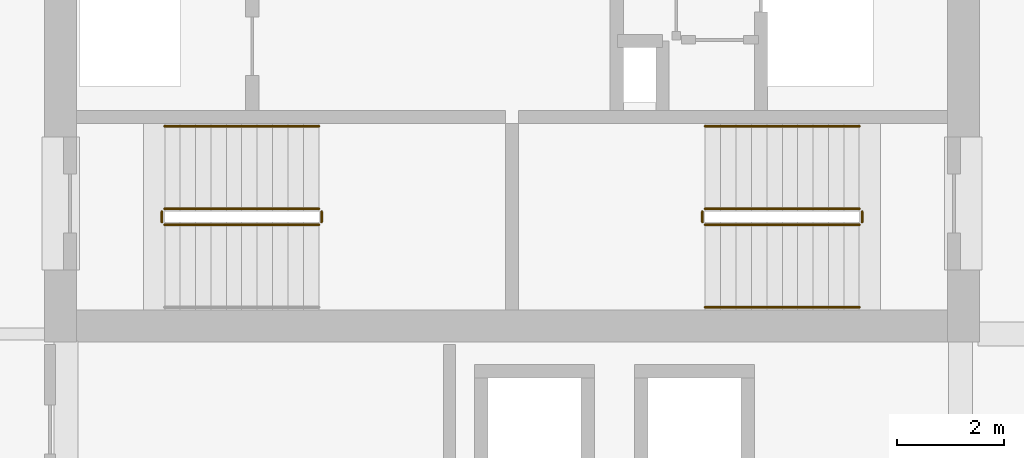
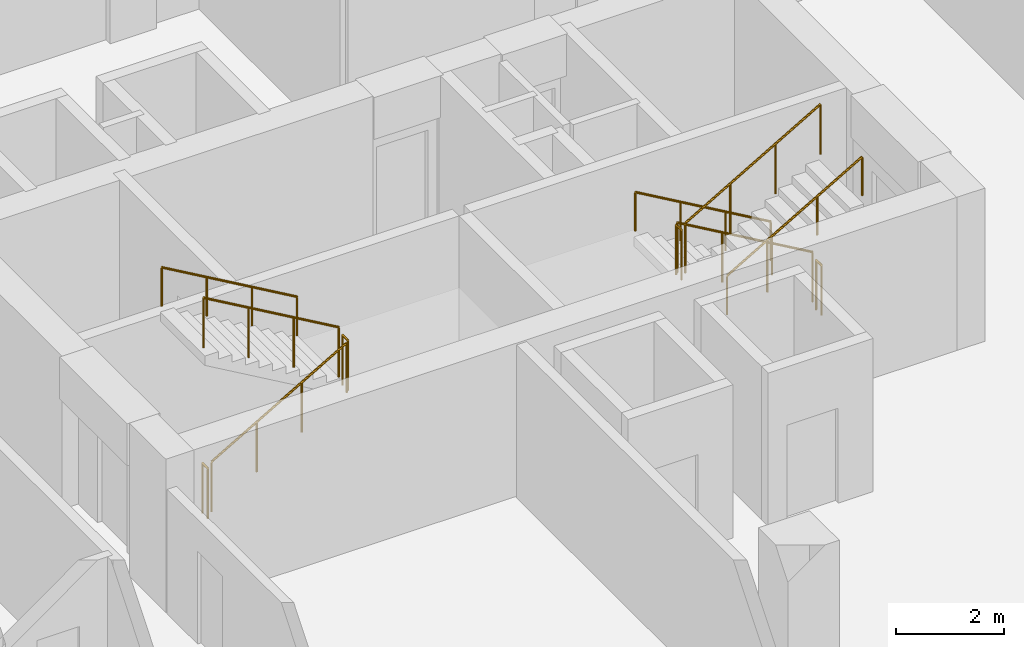
# One storey, part 16 of 18: 11 railings.
"""IFC4 building model written with IfcOpenShell, lengths in metres."""

from ifc_helpers import new_model, si_unit, direction, frame, origin, origin_2d, place, context, subcontext, project, spatial, circle, extrude, material, type_object, element, save


model = new_model("IFC4")

# Units and contexts
model_context = context("Model", 3, precision=1e-05, world=origin(), true_north=direction((0.0, 1.0)))
body_context = subcontext(model_context, "Body", "Model", "MODEL_VIEW")
ifc_project = project(units=[si_unit("LENGTHUNIT", "METRE"), si_unit("AREAUNIT", "SQUARE_METRE"), si_unit("VOLUMEUNIT", "CUBIC_METRE"), si_unit("PLANEANGLEUNIT", "RADIAN"), si_unit("MASSUNIT", "GRAM", prefix="KILO")], contexts=[model_context])

# Site, building, storey
site_placement = place(None, origin())
site = spatial("IfcSite", under=ifc_project, at=site_placement, CompositionType="ELEMENT")
building_placement = place(site_placement, origin())
building = spatial("IfcBuilding", under=site, at=building_placement, Name="Koriwani Terraces Tower", CompositionType="ELEMENT")
storey_placement = place(building_placement, frame((0.0, 0.0, 205.0)))
storey = spatial("IfcBuildingStorey", under=building, at=storey_placement, Name="L50", CompositionType="ELEMENT", Elevation=205.0)

# Railings
ifc_material = material(Name="Steel ASTM A572 Grade 50", Category="steel")
railing_type_1 = type_object("IfcRailingType", Name="GUARD_STAIR_WELL_1120", PredefinedType="GUARDRAIL", material=ifc_material)
railing_1_placement = place(storey_placement, frame((43.85009765625, 18.85009765625, 0.168212890625)))
element("IfcRailing", 1, at=railing_1_placement, inside=storey, type_object=railing_type_1, Name="L50 ST-E1 stair guard 1", PredefinedType="GUARDRAIL", context=body_context, shape_type="SweptSolid", body=[
    extrude(circle(Radius=0.02392578125, at=origin_2d()), frame((0.0, 0.0, 1.1259765625), z_axis=(0.865038774852, 0.0, 0.501705010941), x_axis=(0.0, 1.0, 0.0)), (0.0, 0.0, 1.0), 3.352294921875),
    extrude(circle(Radius=0.02099609375, at=origin_2d()), origin(), (0.0, 0.0, 1.0), 1.101806640625),
    extrude(circle(Radius=0.02099609375, at=origin_2d()), frame((0.966552734375, 0.0, 0.560546875)), (0.0, 0.0, 1.0), 1.101806640625),
    extrude(circle(Radius=0.02099609375, at=origin_2d()), frame((1.933349609375, 0.0, 1.121337890625)), (0.0, 0.0, 1.0), 1.101806640625),
    extrude(circle(Radius=0.02099609375, at=origin_2d()), frame((2.89990234375, 0.0, 1.681884765625)), (0.0, 0.0, 1.0), 1.101806640625),
])
railing_2_placement = place(storey_placement, frame((46.800048828125, 18.89990234375, 1.85009765625)))
element("IfcRailing", 2, at=railing_2_placement, inside=storey, type_object=railing_type_1, Name="L50 ST-E1 stair guard 2", PredefinedType="GUARDRAIL", context=body_context, shape_type="SweptSolid", body=[
    extrude(circle(Radius=0.02392578125, at=origin_2d()), frame((0.0, 0.0, 1.1259765625), z_axis=(0.0, 1.0, 0.0), x_axis=(-1.0, 0.0, 0.0)), (0.0, 0.0, 1.0), 0.2001953125),
    extrude(circle(Radius=0.02099609375, at=origin_2d()), origin(), (0.0, 0.0, 1.0), 1.101806640625),
    extrude(circle(Radius=0.02099609375, at=origin_2d()), frame((0.0, 0.2001953125, 0.0)), (0.0, 0.0, 1.0), 1.101806640625),
])
railing_3_placement = place(storey_placement, frame((46.75, 19.14990234375, 2.01806640625)))
element("IfcRailing", 3, at=railing_3_placement, inside=storey, type_object=railing_type_1, Name="L50 ST-E1 stair guard 3", PredefinedType="GUARDRAIL", context=body_context, shape_type="SweptSolid", body=[
    extrude(circle(Radius=0.02392578125, at=origin_2d()), frame((0.0, 0.0, 1.1259765625), z_axis=(-0.865038774852, 0.0, 0.501705010941), x_axis=(0.0, -1.0, 0.0)), (0.0, 0.0, 1.0), 3.352294921875),
    extrude(circle(Radius=0.02099609375, at=origin_2d()), origin(), (0.0, 0.0, 1.0), 1.101806640625),
    extrude(circle(Radius=0.02099609375, at=origin_2d()), frame((-0.966552734375, 0.0, 0.560546875)), (0.0, 0.0, 1.0), 1.101806640625),
    extrude(circle(Radius=0.02099609375, at=origin_2d()), frame((-1.933349609375, 0.0, 1.121337890625)), (0.0, 0.0, 1.0), 1.101806640625),
    extrude(circle(Radius=0.02099609375, at=origin_2d()), frame((-2.89990234375, 0.0, 1.681884765625)), (0.0, 0.0, 1.0), 1.101806640625),
])
railing_4_placement = place(storey_placement, frame((43.800048828125, 18.89990234375, 0.0)))
element("IfcRailing", 4, at=railing_4_placement, inside=storey, type_object=railing_type_1, Name="L50 ST-E1 stair guard 4", PredefinedType="GUARDRAIL", context=body_context, shape_type="SweptSolid", body=[
    extrude(circle(Radius=0.02392578125, at=origin_2d()), frame((0.0, 0.0, 1.1259765625), z_axis=(0.0, 1.0, 0.0), x_axis=(-1.0, 0.0, 0.0)), (0.0, 0.0, 1.0), 0.2001953125),
    extrude(circle(Radius=0.02099609375, at=origin_2d()), origin(), (0.0, 0.0, 1.0), 1.101806640625),
    extrude(circle(Radius=0.02099609375, at=origin_2d()), frame((0.0, 0.2001953125, 0.0)), (0.0, 0.0, 1.0), 1.101806640625),
])
railing_5_placement = place(storey_placement, frame((56.89990234375, 19.14990234375, 0.168212890625)))
element("IfcRailing", 5, at=railing_5_placement, inside=storey, type_object=railing_type_1, Name="L50 ST-E2 stair guard 1", PredefinedType="GUARDRAIL", context=body_context, shape_type="SweptSolid", body=[
    extrude(circle(Radius=0.02392578125, at=origin_2d()), frame((0.0, 0.0, 1.1259765625), z_axis=(-0.865038774852, 0.0, 0.501705010941), x_axis=(0.0, -1.0, 0.0)), (0.0, 0.0, 1.0), 3.352294921875),
    extrude(circle(Radius=0.02099609375, at=origin_2d()), origin(), (0.0, 0.0, 1.0), 1.101806640625),
    extrude(circle(Radius=0.02099609375, at=origin_2d()), frame((-0.966552734375, 0.0, 0.560546875)), (0.0, 0.0, 1.0), 1.101806640625),
    extrude(circle(Radius=0.02099609375, at=origin_2d()), frame((-1.933349609375, 0.0, 1.121337890625)), (0.0, 0.0, 1.0), 1.101806640625),
    extrude(circle(Radius=0.02099609375, at=origin_2d()), frame((-2.89990234375, 0.0, 1.681884765625)), (0.0, 0.0, 1.0), 1.101806640625),
])
railing_6_placement = place(storey_placement, frame((53.949951171875, 19.10009765625, 1.85009765625)))
element("IfcRailing", 6, at=railing_6_placement, inside=storey, type_object=railing_type_1, Name="L50 ST-E2 stair guard 2", PredefinedType="GUARDRAIL", context=body_context, shape_type="SweptSolid", body=[
    extrude(circle(Radius=0.02392578125, at=origin_2d()), frame((0.0, 0.0, 1.1259765625), z_axis=(0.0, -1.0, 0.0), x_axis=(1.0, 0.0, 0.0)), (0.0, 0.0, 1.0), 0.2001953125),
    extrude(circle(Radius=0.02099609375, at=origin_2d()), origin(), (0.0, 0.0, 1.0), 1.101806640625),
    extrude(circle(Radius=0.02099609375, at=origin_2d()), frame((0.0, -0.2001953125, 0.0)), (0.0, 0.0, 1.0), 1.101806640625),
])
railing_7_placement = place(storey_placement, frame((54.0, 18.85009765625, 2.01806640625)))
element("IfcRailing", 7, at=railing_7_placement, inside=storey, type_object=railing_type_1, Name="L50 ST-E2 stair guard 3", PredefinedType="GUARDRAIL", context=body_context, shape_type="SweptSolid", body=[
    extrude(circle(Radius=0.02392578125, at=origin_2d()), frame((0.0, 0.0, 1.1259765625), z_axis=(0.865038774852, 0.0, 0.501705010941), x_axis=(0.0, 1.0, 0.0)), (0.0, 0.0, 1.0), 3.352294921875),
    extrude(circle(Radius=0.02099609375, at=origin_2d()), origin(), (0.0, 0.0, 1.0), 1.101806640625),
    extrude(circle(Radius=0.02099609375, at=origin_2d()), frame((0.966552734375, 0.0, 0.560546875)), (0.0, 0.0, 1.0), 1.101806640625),
    extrude(circle(Radius=0.02099609375, at=origin_2d()), frame((1.933349609375, 0.0, 1.121337890625)), (0.0, 0.0, 1.0), 1.101806640625),
    extrude(circle(Radius=0.02099609375, at=origin_2d()), frame((2.89990234375, 0.0, 1.681884765625)), (0.0, 0.0, 1.0), 1.101806640625),
])
railing_8_placement = place(storey_placement, frame((56.949951171875, 19.10009765625, 0.0)))
element("IfcRailing", 8, at=railing_8_placement, inside=storey, type_object=railing_type_1, Name="L50 ST-E2 stair guard 4", PredefinedType="GUARDRAIL", context=body_context, shape_type="SweptSolid", body=[
    extrude(circle(Radius=0.02392578125, at=origin_2d()), frame((0.0, 0.0, 1.1259765625), z_axis=(0.0, -1.0, 0.0), x_axis=(1.0, 0.0, 0.0)), (0.0, 0.0, 1.0), 0.2001953125),
    extrude(circle(Radius=0.02099609375, at=origin_2d()), origin(), (0.0, 0.0, 1.0), 1.101806640625),
    extrude(circle(Radius=0.02099609375, at=origin_2d()), frame((0.0, -0.2001953125, 0.0)), (0.0, 0.0, 1.0), 1.101806640625),
])
railing_type_2 = type_object("IfcRailingType", Name="HANDRAIL_STAIR_920", PredefinedType="HANDRAIL", material=ifc_material)
for number, where, name in (
    (9, (46.75, 20.699951171875, 2.01806640625), "L50 ST-E1 stair handrail 2"),
    (10, (56.89990234375, 20.699951171875, 0.168212890625), "L50 ST-E2 stair handrail 1"),
):
    element("IfcRailing", number, at=place(storey_placement, frame(where)), inside=storey, type_object=railing_type_2, Name=name, PredefinedType="HANDRAIL", context=body_context, shape_type="SweptSolid", body=[
        extrude(circle(Radius=0.02392578125, at=origin_2d()), frame((0.0, 0.0, 0.8759765625), z_axis=(-0.865038774852, 0.0, 0.501705010941), x_axis=(0.0, -1.0, 0.0)), (0.0, 0.0, 1.0), 3.352294921875),
        extrude(circle(Radius=0.02099609375, at=origin_2d()), origin(), (0.0, 0.0, 1.0), 0.851806640625),
        extrude(circle(Radius=0.02099609375, at=origin_2d()), frame((-0.966552734375, 0.0, 0.560546875)), (0.0, 0.0, 1.0), 0.851806640625),
        extrude(circle(Radius=0.02099609375, at=origin_2d()), frame((-1.933349609375, 0.0, 1.121337890625)), (0.0, 0.0, 1.0), 0.851806640625),
        extrude(circle(Radius=0.02099609375, at=origin_2d()), frame((-2.89990234375, 0.0, 1.681884765625)), (0.0, 0.0, 1.0), 0.851806640625),
    ])
railing_9_placement = place(storey_placement, frame((54.0, 17.300048828125, 2.01806640625)))
element("IfcRailing", 11, at=railing_9_placement, inside=storey, type_object=railing_type_2, Name="L50 ST-E2 stair handrail 2", PredefinedType="HANDRAIL", context=body_context, shape_type="SweptSolid", body=[
    extrude(circle(Radius=0.02392578125, at=origin_2d()), frame((0.0, 0.0, 0.8759765625), z_axis=(0.865038774852, 0.0, 0.501705010941), x_axis=(0.0, 1.0, 0.0)), (0.0, 0.0, 1.0), 3.352294921875),
    extrude(circle(Radius=0.02099609375, at=origin_2d()), origin(), (0.0, 0.0, 1.0), 0.851806640625),
    extrude(circle(Radius=0.02099609375, at=origin_2d()), frame((0.966552734375, 0.0, 0.560546875)), (0.0, 0.0, 1.0), 0.851806640625),
    extrude(circle(Radius=0.02099609375, at=origin_2d()), frame((1.933349609375, 0.0, 1.121337890625)), (0.0, 0.0, 1.0), 0.851806640625),
    extrude(circle(Radius=0.02099609375, at=origin_2d()), frame((2.89990234375, 0.0, 1.681884765625)), (0.0, 0.0, 1.0), 0.851806640625),
])

save(model, "model.ifc")
